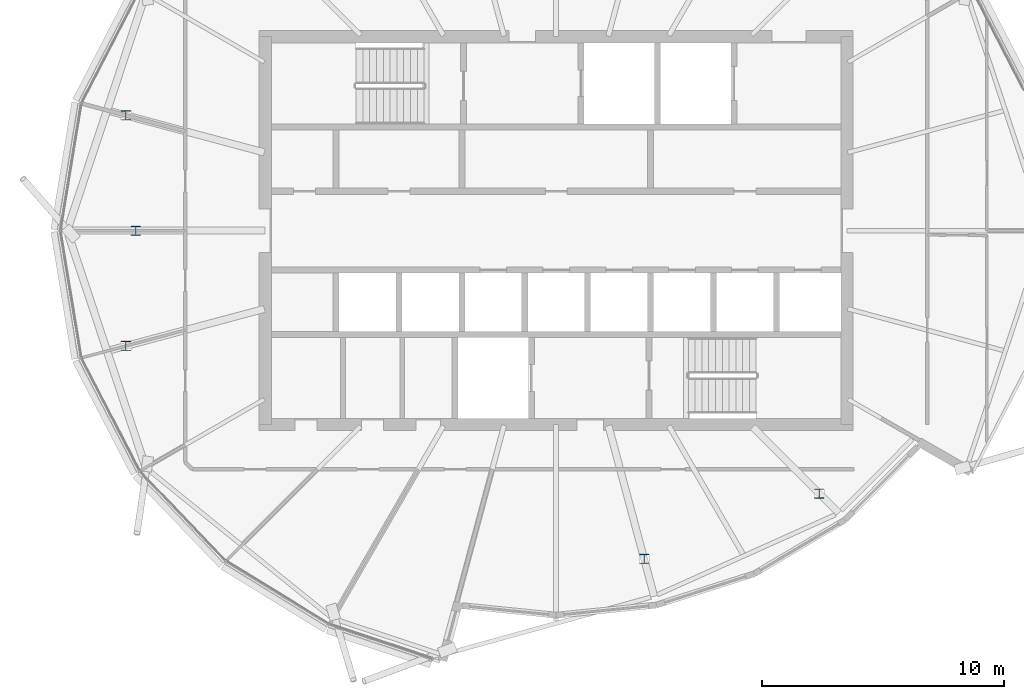
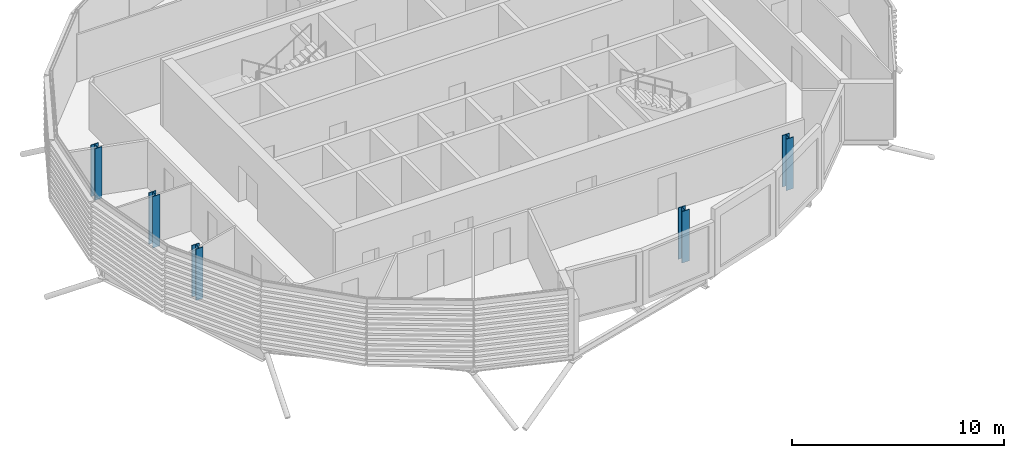
# One storey, part 1 of 33: 5 columns.
"""IFC4 building model written with IfcOpenShell, lengths in metres."""

from ifc_helpers import new_model, si_unit, direction, frame, origin, origin_2d, place, context, subcontext, project, spatial, i_section, extrude, material, material_profile, profile_set, type_object, element, save


model = new_model("IFC4")

# Units and contexts
model_context = context("Model", 3, precision=1e-05, world=origin(), true_north=direction((0.0, 1.0)))
body_context = subcontext(model_context, "Body", "Model", "MODEL_VIEW")
ifc_project = project(units=[si_unit("LENGTHUNIT", "METRE"), si_unit("AREAUNIT", "SQUARE_METRE"), si_unit("VOLUMEUNIT", "CUBIC_METRE"), si_unit("PLANEANGLEUNIT", "RADIAN"), si_unit("MASSUNIT", "GRAM", prefix="KILO")], contexts=[model_context])

# Site, building, storey
site_placement = place(None, origin())
site = spatial("IfcSite", under=ifc_project, at=site_placement, CompositionType="ELEMENT")
building_placement = place(site_placement, origin())
building = spatial("IfcBuilding", under=site, at=building_placement, Name="Rimbun Link Towers", CompositionType="ELEMENT")
storey_placement = place(building_placement, frame((0.0, 0.0, 240.89990234375)))
storey = spatial("IfcBuildingStorey", under=building, at=storey_placement, Name="L59", CompositionType="ELEMENT", Elevation=240.89990234375)

# Columns
ifc_material = material(Name="Steel S355J2", Category="steel")
ifc_material_profile = material_profile(ifc_material, i_section(OverallWidth=0.39892578125, OverallDepth=0.3935546875, WebThickness=0.022705078125, FlangeThickness=0.03662109375, at=origin_2d()), Name="UC 356x406x287")
ifc_profile_set = profile_set([ifc_material_profile], Name="Steel S355J2")
column_type = type_object("IfcColumnType", Name="UC 356x406x287", PredefinedType="COLUMN", material=ifc_profile_set)
for number, where, z_axis, x_axis, name in (
    (1, (-49.495361328125, 4.7548828125, -0.139892578125), (0.0, 0.0, 1.0), (1.0, 0.0, 0.0), "Crease post T1 L59 11"),
    (2, (-49.0966796875, 0.0, -0.139892578125), (0.0, 0.0, 1.0), (1.0, 0.0, 0.0), "Crease post T1 L59 12"),
    (3, (-49.495361328125, -4.7548828125, -0.139892578125), (0.0, 0.0, 1.0), (1.0, 0.0, 0.0), "Crease post T1 L59 13"),
    (4, (-28.122314453125, -13.5380859375, -0.139892578125), (0.0, 0.0, 1.0), (1.0, 0.0, 0.0), "Crease post T1 L59 19"),
    (5, (-20.905517578125, -10.844482421875, -0.139892578125), (0.0, 0.0, 1.0), (1.0, 0.0, 0.0), "Crease post T1 L59 21"),
):
    element("IfcColumn", number, at=place(storey_placement, frame(where, z_axis=z_axis, x_axis=x_axis)), inside=storey, type_object=column_type, Name=name, PredefinedType="COLUMN", context=body_context, shape_type="SweptSolid", body=[
        extrude(i_section(OverallWidth=0.39892578125, OverallDepth=0.3935546875, WebThickness=0.022705078125, FlangeThickness=0.03662109375, at=origin_2d()), origin(), (0.0, 0.0, 1.0), 2.959228515625),
    ])

save(model, "model.ifc")
